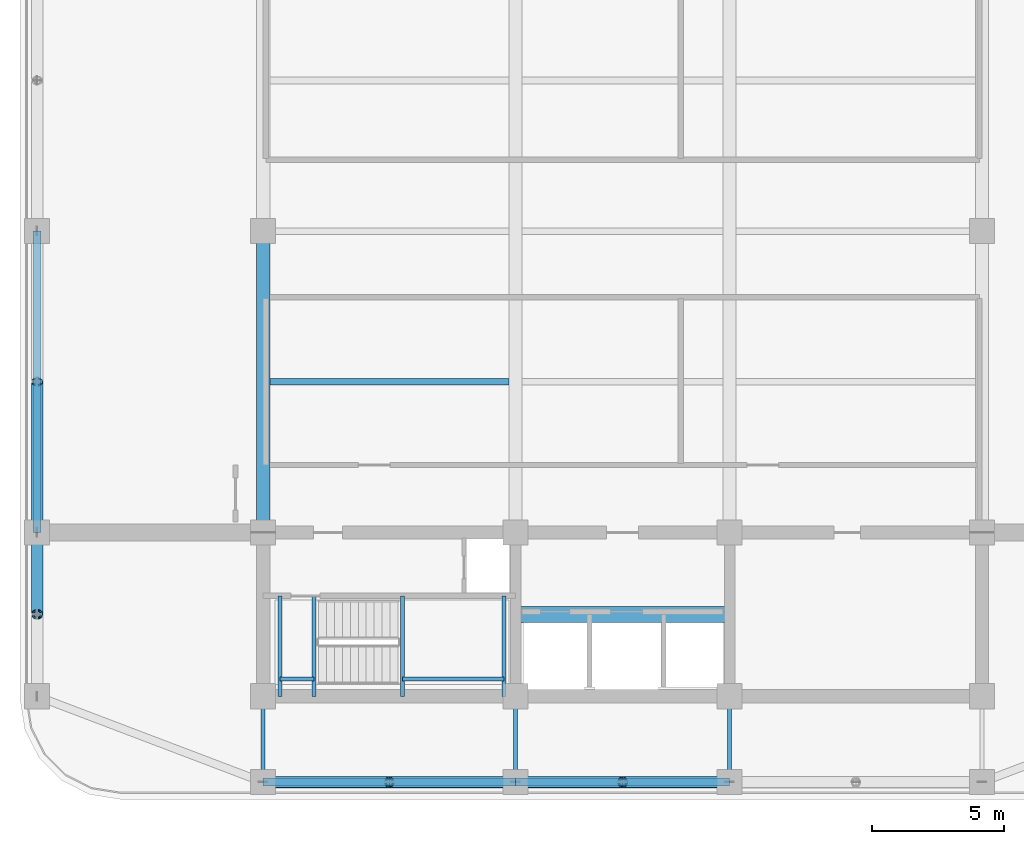
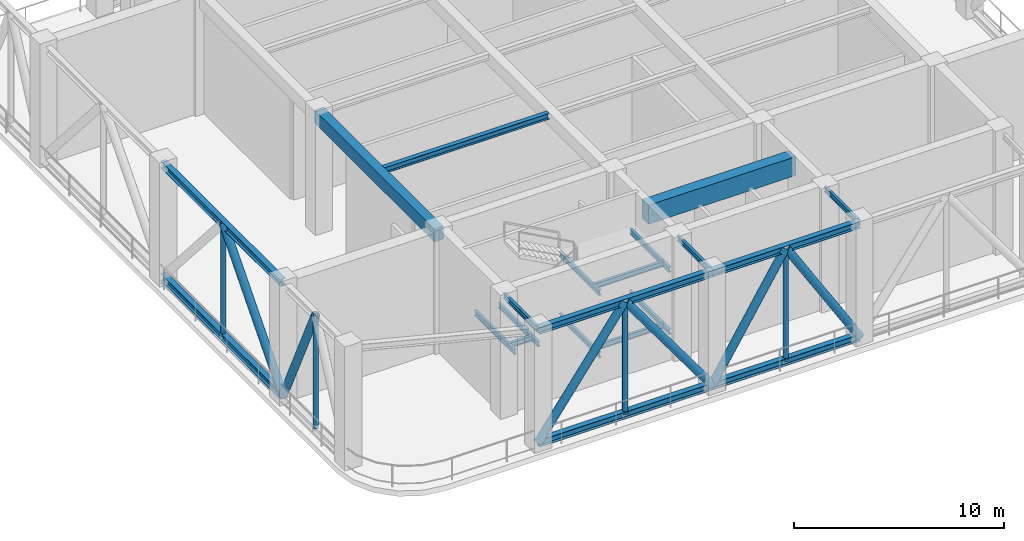
# One storey, part 2 of 20: 21 beams, 10 members.
"""IFC4 building model written with IfcOpenShell, lengths in metres."""

from ifc_helpers import new_model, si_unit, direction, frame, origin, origin_2d, place, context, subcontext, project, spatial, rectangle, hollow_circle, i_section, extrude, material, material_profile, profile_set, type_object, element, save


model = new_model("IFC4")

# Units and contexts
model_context = context("Model", 3, precision=1e-05, world=origin(), true_north=direction((0.0, 1.0)))
body_context = subcontext(model_context, "Body", "Model", "MODEL_VIEW")
ifc_project = project(units=[si_unit("LENGTHUNIT", "METRE"), si_unit("AREAUNIT", "SQUARE_METRE"), si_unit("VOLUMEUNIT", "CUBIC_METRE"), si_unit("PLANEANGLEUNIT", "RADIAN"), si_unit("MASSUNIT", "GRAM", prefix="KILO")], contexts=[model_context])

# Site, building, storey
site_placement = place(None, origin())
site = spatial("IfcSite", under=ifc_project, at=site_placement, CompositionType="ELEMENT")
building_placement = place(site_placement, origin())
building = spatial("IfcBuilding", under=site, at=building_placement, Name="Svetorya Sky Lyceum", CompositionType="ELEMENT")
storey_placement = place(building_placement, frame((0.0, 0.0, 195.89990234375)))
storey = spatial("IfcBuildingStorey", under=building, at=storey_placement, Name="L49", CompositionType="ELEMENT", Elevation=195.89990234375)

# Beams
ifc_material_1 = material(Name="Concrete C60/75", Category="concrete")
ifc_material_profile_1 = material_profile(ifc_material_1, rectangle(XDim=0.60009765625, YDim=1.10009765625, at=origin_2d()), Name="RC COUPLING 600x1100")
ifc_profile_set_1 = profile_set([ifc_material_profile_1], Name="Concrete C60/75")
beam_type_1 = type_object("IfcBeamType", Name="BM-CPL-1100", PredefinedType="LINTEL", material=ifc_profile_set_1)
beam_1_placement = place(storey_placement, frame((35.14990234375, 13.699951171875, 6.39013671875), z_axis=(1.0, 0.0, 0.0), x_axis=(0.0, 1.0, 0.0)))
element("IfcBeam", 1, at=beam_1_placement, inside=storey, type_object=beam_type_1, Name="L49 SC Core Coupling Beam", PredefinedType="LINTEL", context=body_context, shape_type="SweptSolid", body=[
    extrude(rectangle(XDim=0.60009765625, YDim=1.10009765625, at=origin_2d()), origin(), (0.0, 0.0, 1.0), 8.10009765625),
])
ifc_material_2 = material(Name="Concrete C50/60", Category="concrete")
ifc_material_profile_2 = material_profile(ifc_material_2, rectangle(XDim=0.5, YDim=0.75, at=origin_2d()), Name="RC BEAM 500x750")
ifc_profile_set_2 = profile_set([ifc_material_profile_2], Name="Concrete C50/60")
beam_type_2 = type_object("IfcBeamType", Name="BM-RC-750", PredefinedType="BEAM", material=ifc_profile_set_2)
beam_2_placement = place(storey_placement, frame((25.60009765625, 16.800048828125, 6.565185546875), z_axis=(0.0, 1.0, 0.0), x_axis=(-1.0, 0.0, 0.0)))
element("IfcBeam", 2, at=beam_2_placement, inside=storey, type_object=beam_type_2, Name="L49 Central Bay Primary Girder CG-1A", PredefinedType="BEAM", context=body_context, shape_type="SweptSolid", body=[
    extrude(rectangle(XDim=0.5, YDim=0.75, at=origin_2d()), origin(), (0.0, 0.0, 1.0), 11.39990234375),
])
ifc_material_3 = material(Name="Steel S355", Category="steel")
ifc_material_profile_3 = material_profile(ifc_material_3, i_section(OverallWidth=0.14990234375, OverallDepth=0.299072265625, WebThickness=0.006591796875, FlangeThickness=0.010498046875, at=origin_2d()), Name="GOST 30B2")
ifc_profile_set_3 = profile_set([ifc_material_profile_3], Name="Steel S355")
beam_type_3 = type_object("IfcBeamType", Name="BM-STL-30B2", PredefinedType="JOIST", material=ifc_profile_set_3)
for number, where, z_axis, x_axis, name in (
    (3, (25.60009765625, 7.35009765625, 6.79052734375), (0.0, 1.0, 0.0), (-1.0, 0.0, 0.0), "L49 South Bay Floor Girder S1"),
    (4, (35.14990234375, 7.35009765625, 6.79052734375), (0.0, 1.0, 0.0), (-1.0, 0.0, 0.0), "L49 South Bay Floor Girder S2"),
    (5, (43.25, 7.35009765625, 6.79052734375), (0.0, 1.0, 0.0), (-1.0, 0.0, 0.0), "L49 South Bay Floor Girder S3"),
):
    element("IfcBeam", number, at=place(storey_placement, frame(where, z_axis=z_axis, x_axis=x_axis)), inside=storey, type_object=beam_type_3, Name=name, PredefinedType="JOIST", context=body_context, shape_type="SweptSolid", body=[
        extrude(i_section(OverallWidth=0.14990234375, OverallDepth=0.299072265625, WebThickness=0.006591796875, FlangeThickness=0.010498046875, at=origin_2d()), origin(), (0.0, 0.0, 1.0), 3.25),
    ])
for number, where, z_axis, x_axis, name in (
    (6, (30.8798828125, 10.60009765625, 1.45068359375), (0.0, 1.0, 0.0), (-1.0, 0.0, 0.0), "L49 Stair ST-S Half-Landing Support Beam 55.1"),
    (7, (34.719970703125, 10.60009765625, 1.45068359375), (0.0, 1.0, 0.0), (-1.0, 0.0, 0.0), "L49 Stair ST-S Half-Landing Support Beam 55.2"),
):
    element("IfcBeam", number, at=place(storey_placement, frame(where, z_axis=z_axis, x_axis=x_axis)), inside=storey, type_object=beam_type_3, Name=name, PredefinedType="JOIST", context=body_context, shape_type="SweptSolid", body=[
        extrude(i_section(OverallWidth=0.14990234375, OverallDepth=0.299072265625, WebThickness=0.006591796875, FlangeThickness=0.010498046875, at=origin_2d()), origin(), (0.0, 0.0, 1.0), 3.7998046875),
    ])
beam_3_placement = place(storey_placement, frame((30.8798828125, 11.25, 1.45068359375), z_axis=(1.0, 0.0, 0.0), x_axis=(0.0, 1.0, 0.0)))
element("IfcBeam", 8, at=beam_3_placement, inside=storey, type_object=beam_type_3, Name="L49 Stair ST-S Half-Landing Cross Tie 55", PredefinedType="JOIST", context=body_context, shape_type="SweptSolid", body=[
    extrude(i_section(OverallWidth=0.14990234375, OverallDepth=0.299072265625, WebThickness=0.006591796875, FlangeThickness=0.010498046875, at=origin_2d()), origin(), (0.0, 0.0, 1.0), 3.840087890625),
])
for number, where, z_axis, x_axis, name in (
    (9, (26.22998046875, 10.60009765625, 3.25048828125), (0.0, 1.0, 0.0), (-1.0, 0.0, 0.0), "L49 Stair ST-S Half-Landing Support Beam 56.1"),
    (10, (27.52001953125, 10.60009765625, 3.25048828125), (0.0, 1.0, 0.0), (-1.0, 0.0, 0.0), "L49 Stair ST-S Half-Landing Support Beam 56.2"),
):
    element("IfcBeam", number, at=place(storey_placement, frame(where, z_axis=z_axis, x_axis=x_axis)), inside=storey, type_object=beam_type_3, Name=name, PredefinedType="JOIST", context=body_context, shape_type="SweptSolid", body=[
        extrude(i_section(OverallWidth=0.14990234375, OverallDepth=0.299072265625, WebThickness=0.006591796875, FlangeThickness=0.010498046875, at=origin_2d()), origin(), (0.0, 0.0, 1.0), 3.7998046875),
    ])
beam_4_placement = place(storey_placement, frame((26.22998046875, 11.25, 3.25048828125), z_axis=(1.0, 0.0, 0.0), x_axis=(0.0, 1.0, 0.0)))
element("IfcBeam", 11, at=beam_4_placement, inside=storey, type_object=beam_type_3, Name="L49 Stair ST-S Half-Landing Cross Tie 56", PredefinedType="JOIST", context=body_context, shape_type="SweptSolid", body=[
    extrude(i_section(OverallWidth=0.14990234375, OverallDepth=0.299072265625, WebThickness=0.006591796875, FlangeThickness=0.010498046875, at=origin_2d()), origin(), (0.0, 0.0, 1.0), 1.2900390625),
])
for number, where, z_axis, x_axis, name in (
    (12, (30.8798828125, 10.60009765625, 5.050537109375), (0.0, 1.0, 0.0), (-1.0, 0.0, 0.0), "L49 Stair ST-S Half-Landing Support Beam 57.1"),
    (13, (34.719970703125, 10.60009765625, 5.050537109375), (0.0, 1.0, 0.0), (-1.0, 0.0, 0.0), "L49 Stair ST-S Half-Landing Support Beam 57.2"),
):
    element("IfcBeam", number, at=place(storey_placement, frame(where, z_axis=z_axis, x_axis=x_axis)), inside=storey, type_object=beam_type_3, Name=name, PredefinedType="JOIST", context=body_context, shape_type="SweptSolid", body=[
        extrude(i_section(OverallWidth=0.14990234375, OverallDepth=0.299072265625, WebThickness=0.006591796875, FlangeThickness=0.010498046875, at=origin_2d()), origin(), (0.0, 0.0, 1.0), 3.7998046875),
    ])
beam_5_placement = place(storey_placement, frame((30.8798828125, 11.25, 5.050537109375), z_axis=(1.0, 0.0, 0.0), x_axis=(0.0, 1.0, 0.0)))
element("IfcBeam", 14, at=beam_5_placement, inside=storey, type_object=beam_type_3, Name="L49 Stair ST-S Half-Landing Cross Tie 57", PredefinedType="JOIST", context=body_context, shape_type="SweptSolid", body=[
    extrude(i_section(OverallWidth=0.14990234375, OverallDepth=0.299072265625, WebThickness=0.006591796875, FlangeThickness=0.010498046875, at=origin_2d()), origin(), (0.0, 0.0, 1.0), 3.840087890625),
])
ifc_material_profile_4 = material_profile(ifc_material_3, i_section(OverallWidth=0.25, OverallDepth=0.345947265625, WebThickness=0.009521484375, FlangeThickness=0.014404296875, at=origin_2d()), Name="GOST 35Sh2")
ifc_profile_set_4 = profile_set([ifc_material_profile_4], Name="Steel S355")
beam_type_4 = type_object("IfcBeamType", Name="BM-STL-35SH2", PredefinedType="BEAM", material=ifc_profile_set_4)
beam_6_placement = place(storey_placement, frame((25.85009765625, 22.5, 6.76708984375), z_axis=(1.0, 0.0, 0.0), x_axis=(0.0, 1.0, 0.0)))
element("IfcBeam", 15, at=beam_6_placement, inside=storey, type_object=beam_type_4, Name="L49 Central Floor Joist CJ-1.1", PredefinedType="BEAM", context=body_context, shape_type="SweptSolid", body=[
    extrude(i_section(OverallWidth=0.25, OverallDepth=0.345947265625, WebThickness=0.009521484375, FlangeThickness=0.014404296875, at=origin_2d()), origin(), (0.0, 0.0, 1.0), 9.0498046875),
])
ifc_material_profile_5 = material_profile(ifc_material_3, i_section(OverallWidth=0.300048828125, OverallDepth=0.39404296875, WebThickness=0.010986328125, FlangeThickness=0.0166015625, at=origin_2d()), Name="GOST 40Sh2")
ifc_profile_set_5 = profile_set([ifc_material_profile_5], Name="Steel S355")
beam_type_5 = type_object("IfcBeamType", Name="BM-STL-40SH2", PredefinedType="BEAM", material=ifc_profile_set_5)
for number, where, z_axis, x_axis, name in (
    (16, (25.60009765625, 7.35009765625, 0.197021484375), (1.0, 0.0, 0.0), (0.0, 1.0, 0.0), "L49 Belt Truss Bottom Chord S-1"),
    (17, (25.60009765625, 7.35009765625, 6.7431640625), (1.0, 0.0, 0.0), (0.0, 1.0, 0.0), "L49 Belt Truss Top Chord S-1"),
):
    element("IfcBeam", number, at=place(storey_placement, frame(where, z_axis=z_axis, x_axis=x_axis)), inside=storey, type_object=beam_type_5, Name=name, PredefinedType="BEAM", context=body_context, shape_type="SweptSolid", body=[
        extrude(i_section(OverallWidth=0.300048828125, OverallDepth=0.39404296875, WebThickness=0.010986328125, FlangeThickness=0.0166015625, at=origin_2d()), origin(), (0.0, 0.0, 1.0), 9.5498046875),
    ])
for number, where, z_axis, x_axis, name in (
    (18, (35.14990234375, 7.35009765625, 0.197021484375), (1.0, 0.0, 0.0), (0.0, 1.0, 0.0), "L49 Belt Truss Bottom Chord S-2"),
    (19, (35.14990234375, 7.35009765625, 6.7431640625), (1.0, 0.0, 0.0), (0.0, 1.0, 0.0), "L49 Belt Truss Top Chord S-2"),
):
    element("IfcBeam", number, at=place(storey_placement, frame(where, z_axis=z_axis, x_axis=x_axis)), inside=storey, type_object=beam_type_5, Name=name, PredefinedType="BEAM", context=body_context, shape_type="SweptSolid", body=[
        extrude(i_section(OverallWidth=0.300048828125, OverallDepth=0.39404296875, WebThickness=0.010986328125, FlangeThickness=0.0166015625, at=origin_2d()), origin(), (0.0, 0.0, 1.0), 8.10009765625),
    ])
for number, where, z_axis, x_axis, name in (
    (20, (17.050048828125, 16.800048828125, 0.197021484375), (0.0, 1.0, 0.0), (-1.0, 0.0, 0.0), "L49 Belt Truss Bottom Chord W-2"),
    (21, (17.050048828125, 16.800048828125, 6.7431640625), (0.0, 1.0, 0.0), (-1.0, 0.0, 0.0), "L49 Belt Truss Top Chord W-2"),
):
    element("IfcBeam", number, at=place(storey_placement, frame(where, z_axis=z_axis, x_axis=x_axis)), inside=storey, type_object=beam_type_5, Name=name, PredefinedType="BEAM", context=body_context, shape_type="SweptSolid", body=[
        extrude(i_section(OverallWidth=0.300048828125, OverallDepth=0.39404296875, WebThickness=0.010986328125, FlangeThickness=0.0166015625, at=origin_2d()), origin(), (0.0, 0.0, 1.0), 11.39990234375),
    ])

# Members
ifc_material_profile_6 = material_profile(ifc_material_3, hollow_circle(Radius=0.212890625, WallThickness=0.01806640625, at=origin_2d()), Name="CHS 426x18")
ifc_profile_set_6 = profile_set([ifc_material_profile_6], Name="Steel S355")
member_type_1 = type_object("IfcMemberType", Name="MB-BRC-CHS426", PredefinedType="BRACE", material=ifc_profile_set_6)
for number, where, z_axis, x_axis, name in (
    (22, (25.60009765625, 7.35009765625, 0.197021484375), (0.589306984241, 0.0, 0.807909201782), (0.0, 1.0, 0.0), "L49 Belt Truss Diagonal S-1A"),
    (23, (35.14990234375, 7.35009765625, 0.197021484375), (-0.589306984241, 0.0, 0.807909201782), (0.0, -1.0, 0.0), "L49 Belt Truss Diagonal S-1B"),
):
    element("IfcMember", number, at=place(storey_placement, frame(where, z_axis=z_axis, x_axis=x_axis)), inside=storey, type_object=member_type_1, Name=name, PredefinedType="BRACE", context=body_context, shape_type="SweptSolid", body=[
        extrude(hollow_circle(Radius=0.212890625, WallThickness=0.01806640625, at=origin_2d()), origin(), (0.0, 0.0, 1.0), 8.1025390625),
    ])
for number, where, z_axis, x_axis, name in (
    (24, (35.14990234375, 7.35009765625, 0.197021484375), (0.526136225005, 0.0, 0.850400301468), (0.0, 1.0, 0.0), "L49 Belt Truss Diagonal S-2A"),
    (25, (43.25, 7.35009765625, 0.197021484375), (-0.526136225005, 0.0, 0.850400301468), (0.0, -1.0, 0.0), "L49 Belt Truss Diagonal S-2B"),
):
    element("IfcMember", number, at=place(storey_placement, frame(where, z_axis=z_axis, x_axis=x_axis)), inside=storey, type_object=member_type_1, Name=name, PredefinedType="BRACE", context=body_context, shape_type="SweptSolid", body=[
        extrude(hollow_circle(Radius=0.212890625, WallThickness=0.01806640625, at=origin_2d()), origin(), (0.0, 0.0, 1.0), 7.69775390625),
    ])
member_1_placement = place(storey_placement, frame((17.050048828125, 16.800048828125, 0.197021484375), z_axis=(0.0, -0.428006652086, 0.903775583743), x_axis=(1.0, 0.0, 0.0)))
element("IfcMember", 26, at=member_1_placement, inside=storey, type_object=member_type_1, Name="L49 Belt Truss Diagonal W-1B", PredefinedType="BRACE", context=body_context, shape_type="SweptSolid", body=[
    extrude(hollow_circle(Radius=0.212890625, WallThickness=0.01806640625, at=origin_2d()), origin(), (0.0, 0.0, 1.0), 7.2431640625),
])
member_2_placement = place(storey_placement, frame((17.050048828125, 16.800048828125, 0.197021484375), z_axis=(0.0, 0.656680646907, 0.754168766244), x_axis=(-1.0, 0.0, 0.0)))
element("IfcMember", 27, at=member_2_placement, inside=storey, type_object=member_type_1, Name="L49 Belt Truss Diagonal W-2A", PredefinedType="BRACE", context=body_context, shape_type="SweptSolid", body=[
    extrude(hollow_circle(Radius=0.212890625, WallThickness=0.01806640625, at=origin_2d()), origin(), (0.0, 0.0, 1.0), 8.679931640625),
])
ifc_material_profile_7 = material_profile(ifc_material_3, hollow_circle(Radius=0.136474609375, WallThickness=0.011962890625, at=origin_2d()), Name="CHS 273x12")
ifc_profile_set_7 = profile_set([ifc_material_profile_7], Name="Steel S355")
member_type_2 = type_object("IfcMemberType", Name="MB-STR-CHS273", PredefinedType="STRUT", material=ifc_profile_set_7)
for number, where, z_axis, x_axis, name in (
    (28, (30.375, 7.35009765625, 0.197021484375), (0.0, 0.0, 1.0), (1.0, 0.0, 0.0), "L49 Belt Truss Post S-1"),
    (29, (39.199951171875, 7.35009765625, 0.197021484375), (0.0, 0.0, 1.0), (1.0, 0.0, 0.0), "L49 Belt Truss Post S-2"),
    (30, (17.050048828125, 13.699951171875, 0.197021484375), (0.0, 0.0, 1.0), (1.0, 0.0, 0.0), "L49 Belt Truss Post W-1"),
    (31, (17.050048828125, 22.5, 0.197021484375), (0.0, 0.0, 1.0), (1.0, 0.0, 0.0), "L49 Belt Truss Post W-2"),
):
    element("IfcMember", number, at=place(storey_placement, frame(where, z_axis=z_axis, x_axis=x_axis)), inside=storey, type_object=member_type_2, Name=name, PredefinedType="STRUT", context=body_context, shape_type="SweptSolid", body=[
        extrude(hollow_circle(Radius=0.136474609375, WallThickness=0.011962890625, at=origin_2d()), origin(), (0.0, 0.0, 1.0), 6.546142578125),
    ])

save(model, "model.ifc")
